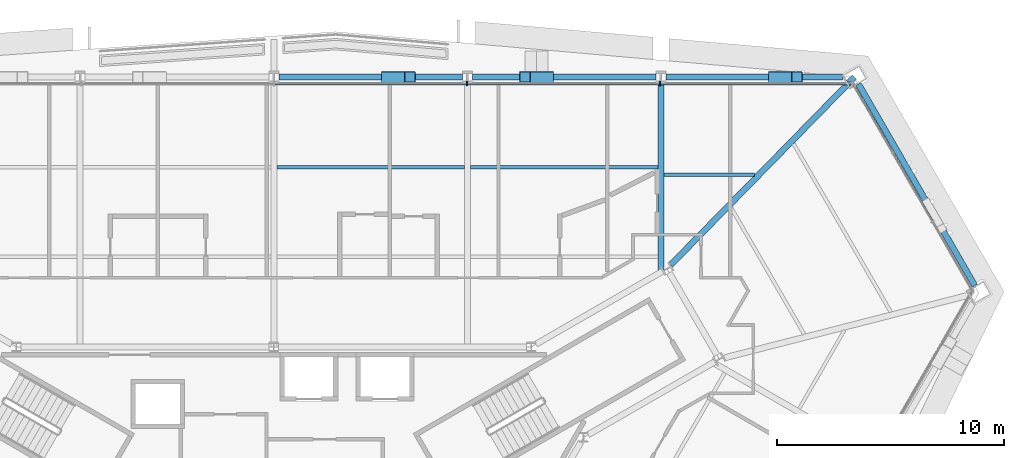
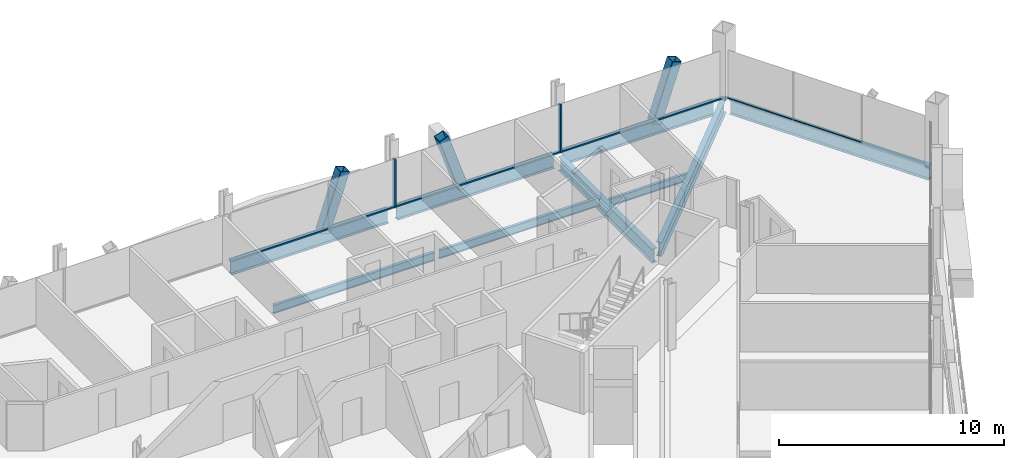
# One storey, part 8 of 17: 10 members, 9 beams, 2 elements without a shape of their own.
"""IFC4 building model written with IfcOpenShell, lengths in metres."""

from ifc_helpers import new_model, si_unit, direction, frame, origin, origin_2d, place, context, subcontext, project, spatial, rectangle, hollow_rectangle, i_section, extrude, material, material_profile, profile_set, type_object, element, aggregate, save


model = new_model("IFC4")

# Units and contexts
model_context = context("Model", 3, precision=1e-05, world=origin(), true_north=direction((0.0, 1.0)))
body_context = subcontext(model_context, "Body", "Model", "MODEL_VIEW")
ifc_project = project(units=[si_unit("LENGTHUNIT", "METRE"), si_unit("AREAUNIT", "SQUARE_METRE"), si_unit("VOLUMEUNIT", "CUBIC_METRE"), si_unit("PLANEANGLEUNIT", "RADIAN"), si_unit("MASSUNIT", "GRAM", prefix="KILO")], contexts=[model_context])

# Site, building, storey
site_placement = place(None, origin())
site = spatial("IfcSite", under=ifc_project, at=site_placement, CompositionType="ELEMENT")
building_placement = place(site_placement, origin())
building = spatial("IfcBuilding", under=site, at=building_placement, Name="Verrane Prism Tower", CompositionType="ELEMENT")
storey_placement = place(building_placement, frame((0.0, 0.0, 51.199951171875)))
storey = spatial("IfcBuildingStorey", under=building, at=storey_placement, Name="L10", CompositionType="ELEMENT", Elevation=51.199951171875)

# Beams
ifc_material_1 = material(Name="Steel A992", Category="steel")
ifc_material_profile_1 = material_profile(ifc_material_1, i_section(OverallWidth=0.2666015625, OverallDepth=0.76708984375, WebThickness=0.014892578125, FlangeThickness=0.023681640625, FilletRadius=0.0166015625, at=origin_2d()), Name="W30x124")
ifc_profile_set_1 = profile_set([ifc_material_profile_1], Name="Steel A992")
beam_type_1 = type_object("IfcBeamType", Name="Chamfer spandrel beam W30x124", PredefinedType="SPANDREL", material=ifc_profile_set_1)
beam_1_placement = place(storey_placement, frame((30.84521484375, 11.893310546875, -0.54345703125), z_axis=(-0.499796720239, 0.866142735603, 0.0), x_axis=(-0.866142735603, -0.499796720239, 0.0)))
element("IfcBeam", 1, at=beam_1_placement, inside=storey, type_object=beam_type_1, Name="Chamfer spandrel beam L10", PredefinedType="SPANDREL", context=body_context, shape_type="SweptSolid", body=[
    extrude(i_section(OverallWidth=0.2666015625, OverallDepth=0.76708984375, WebThickness=0.014892578125, FlangeThickness=0.023681640625, FilletRadius=0.0166015625, at=origin_2d()), origin(), (0.0, 0.0, 1.0), 10.244873046875),
])
ifc_material_2 = material(Name="Steel A992", Category="steel")
ifc_material_profile_2 = material_profile(ifc_material_2, i_section(OverallWidth=0.2666015625, OverallDepth=0.76708984375, WebThickness=0.014892578125, FlangeThickness=0.023681640625, FilletRadius=0.0166015625, at=origin_2d()), Name="W30x124")
ifc_profile_set_2 = profile_set([ifc_material_profile_2], Name="Steel A992")
beam_type_2 = type_object("IfcBeamType", Name="Corner girder W30x124", PredefinedType="BEAM", material=ifc_profile_set_2)
beam_2_placement = place(storey_placement, frame((25.548828125, 21.06884765625, -0.603515625), z_axis=(-0.699429302474, -0.714701791547, 0.0), x_axis=(0.714701791547, -0.699429302474, 0.0)))
element("IfcBeam", 2, at=beam_2_placement, inside=storey, type_object=beam_type_2, Name="Corner girder L10", PredefinedType="BEAM", context=body_context, shape_type="SweptSolid", body=[
    extrude(i_section(OverallWidth=0.2666015625, OverallDepth=0.76708984375, WebThickness=0.014892578125, FlangeThickness=0.023681640625, FilletRadius=0.0166015625, at=origin_2d()), origin(), (0.0, 0.0, 1.0), 11.5576171875),
])

# Members
ifc_material_3 = material(Name="Steel A1085 Grade A", Category="steel")
ifc_material_profile_3 = material_profile(ifc_material_3, hollow_rectangle(XDim=0.508056640625, YDim=0.508056640625, WallThickness=0.025390625, InnerFilletRadius=0.0126953125, OuterFilletRadius=0.0380859375, at=origin_2d()), Name="HSS20x20x1")
ifc_profile_set_3 = profile_set([ifc_material_profile_3], Name="Steel A1085 Grade A")
member_type_1 = type_object("IfcMemberType", Name="Facade brace HSS20x20x1", PredefinedType="BRACE", material=ifc_profile_set_3)
member_1_placement = place(storey_placement, frame((21.99853515625, 21.070068359375, -0.242431640625), z_axis=(0.320307489598, 0.0, 0.947313629221), x_axis=(0.0, 1.0, 0.0)))
element("IfcMember", 3, at=member_1_placement, inside=storey, type_object=member_type_1, Name="Facade brace N0 L10", PredefinedType="BRACE", context=body_context, shape_type="SweptSolid", body=[
    extrude(hollow_rectangle(XDim=0.508056640625, YDim=0.508056640625, WallThickness=0.025390625, InnerFilletRadius=0.0126953125, OuterFilletRadius=0.0380859375, at=origin_2d()), origin(), (0.0, 0.0, 1.0), 3.17529296875),
])
member_2_placement = place(storey_placement, frame((12.067138671875, 21.070068359375, -0.242431640625), z_axis=(-0.319893410913, 0.0, 0.947453537465), x_axis=(0.0, -1.0, 0.0)))
element("IfcMember", 4, at=member_2_placement, inside=storey, type_object=member_type_1, Name="Facade brace N1 L10", PredefinedType="BRACE", context=body_context, shape_type="SweptSolid", body=[
    extrude(hollow_rectangle(XDim=0.508056640625, YDim=0.508056640625, WallThickness=0.025390625, InnerFilletRadius=0.0126953125, OuterFilletRadius=0.0380859375, at=origin_2d()), origin(), (0.0, 0.0, 1.0), 3.1748046875),
])
member_3_placement = place(storey_placement, frame((4.968505859375, 21.070068359375, -0.242431640625), z_axis=(0.320307489598, 0.0, 0.947313629221), x_axis=(0.0, 1.0, 0.0)))
element("IfcMember", 5, at=member_3_placement, inside=storey, type_object=member_type_1, Name="Facade brace N2 L10", PredefinedType="BRACE", context=body_context, shape_type="SweptSolid", body=[
    extrude(hollow_rectangle(XDim=0.508056640625, YDim=0.508056640625, WallThickness=0.025390625, InnerFilletRadius=0.0126953125, OuterFilletRadius=0.0380859375, at=origin_2d()), origin(), (0.0, 0.0, 1.0), 3.17529296875),
])

# Beams
ifc_material_4 = material(Name="Steel A992", Category="steel")
ifc_material_profile_4 = material_profile(ifc_material_4, i_section(OverallWidth=0.140380859375, OverallDepth=0.40380859375, WebThickness=0.007080078125, FlangeThickness=0.01123046875, FilletRadius=0.01025390625, at=origin_2d()), Name="W16x31")
ifc_profile_set_4 = profile_set([ifc_material_profile_4], Name="Steel A992")
beam_type_3 = type_object("IfcBeamType", Name="Floor beam W16x31", PredefinedType="BEAM", material=ifc_profile_set_4)
beam_3_placement = place(storey_placement, frame((17.16357421875, 16.77490234375, -0.36181640625), z_axis=(1.0, 0.0, 0.0), x_axis=(0.0, 1.0, 0.0)))
element("IfcBeam", 6, at=beam_3_placement, inside=storey, type_object=beam_type_3, Name="Floor beam L10", PredefinedType="BEAM", context=body_context, shape_type="SweptSolid", body=[
    extrude(i_section(OverallWidth=0.140380859375, OverallDepth=0.40380859375, WebThickness=0.007080078125, FlangeThickness=0.01123046875, FilletRadius=0.01025390625, at=origin_2d()), origin(), (0.0, 0.0, 1.0), 3.996337890625),
])
ifc_material_5 = material(Name="Steel A992", Category="steel")
ifc_material_profile_5 = material_profile(ifc_material_5, i_section(OverallWidth=0.15234375, OverallDepth=0.449462890625, WebThickness=0.007568359375, FlangeThickness=0.0107421875, FilletRadius=0.01025390625, at=origin_2d()), Name="W18x35")
ifc_profile_set_5 = profile_set([ifc_material_profile_5], Name="Steel A992")
beam_type_4 = type_object("IfcBeamType", Name="Floor beam W18x35", PredefinedType="BEAM", material=ifc_profile_set_5)
beam_4_placement = place(storey_placement, frame((8.653564453125, 17.11328125, -0.384765625), z_axis=(1.0, 0.0, 0.0), x_axis=(0.0, 1.0, 0.0)))
element("IfcBeam", 7, at=beam_4_placement, inside=storey, type_object=beam_type_4, Name="Floor beam L10", PredefinedType="BEAM", context=body_context, shape_type="SweptSolid", body=[
    extrude(i_section(OverallWidth=0.15234375, OverallDepth=0.449462890625, WebThickness=0.007568359375, FlangeThickness=0.0107421875, FilletRadius=0.01025390625, at=origin_2d()), origin(), (0.0, 0.0, 1.0), 8.242919921875),
])
beam_5_placement = place(storey_placement, frame((0.133544921875, 17.11328125, -0.384765625), z_axis=(1.0, 0.0, 0.0), x_axis=(0.0, 1.0, 0.0)))
element("IfcBeam", 8, at=beam_5_placement, inside=storey, type_object=beam_type_4, Name="Floor beam L10", PredefinedType="BEAM", context=body_context, shape_type="SweptSolid", body=[
    extrude(i_section(OverallWidth=0.15234375, OverallDepth=0.449462890625, WebThickness=0.007568359375, FlangeThickness=0.0107421875, FilletRadius=0.01025390625, at=origin_2d()), origin(), (0.0, 0.0, 1.0), 8.2529296875),
])

# Curtain wall, members
ifc_material_6 = material(Name="Aluminium framed insulated glazing", Category="aluminium")
curtain_wall_type_1 = type_object("IfcCurtainWallType", Name="Curtain wall CW-A 8400 module", PredefinedType="NOTDEFINED", material=ifc_material_6)
curtain_wall_1_placement = place(storey_placement, origin())
curtain_wall_1 = element("IfcCurtainWall", 9, at=curtain_wall_1_placement, inside=storey, type_object=curtain_wall_type_1, Name="Glazed curtain wall north face L10", PredefinedType="NOTDEFINED")
ifc_material_7 = material(Name="Aluminium alloy 6063-T6", Category="aluminium")
ifc_material_profile_6 = material_profile(ifc_material_7, rectangle(XDim=0.199951171875, YDim=0.070068359375, at=origin_2d()), Name="Mullion 70x200 aluminium")
ifc_profile_set_6 = profile_set([ifc_material_profile_6], Name="Aluminium alloy 6063-T6")
member_type_2 = type_object("IfcMemberType", Name="Mullion 70x200 aluminium", PredefinedType="MULLION", material=ifc_profile_set_6)
member_4_placement = place(storey_placement, frame((16.9833984375, 20.791015625, 0.0), z_axis=(0.0, 0.0, 1.0), x_axis=(0.0, -1.0, 0.0)))
member_4 = element("IfcMember", 10, at=member_4_placement, type_object=member_type_2, Name="CW09.2 mullion 2", PredefinedType="MULLION", context=body_context, shape_type="SweptSolid", body=[
    extrude(rectangle(XDim=0.199951171875, YDim=0.070068359375, at=origin_2d()), origin(), (0.0, 0.0, 1.0), 2.613037109375),
])
member_5_placement = place(storey_placement, frame((8.49169921875, 20.791015625, 0.0), z_axis=(0.0, 0.0, 1.0), x_axis=(0.0, -1.0, 0.0)))
member_5 = element("IfcMember", 11, at=member_5_placement, type_object=member_type_2, Name="CW09.2 mullion 3", PredefinedType="MULLION", context=body_context, shape_type="SweptSolid", body=[
    extrude(rectangle(XDim=0.199951171875, YDim=0.070068359375, at=origin_2d()), origin(), (0.0, 0.0, 1.0), 2.613037109375),
])

# Beams
ifc_material_8 = material(Name="Steel A992", Category="steel")
ifc_material_profile_7 = material_profile(ifc_material_8, i_section(OverallWidth=0.2666015625, OverallDepth=0.76708984375, WebThickness=0.014892578125, FlangeThickness=0.023681640625, FilletRadius=0.0166015625, at=origin_2d()), Name="W30x124")
ifc_profile_set_7 = profile_set([ifc_material_profile_7], Name="Steel A992")
beam_type_5 = type_object("IfcBeamType", Name="Radial girder W30x124", PredefinedType="BEAM", material=ifc_profile_set_7)
beam_6_placement = place(storey_placement, frame((17.030029296875, 20.8046875, -0.603515625), z_axis=(0.0, -1.0, 0.0), x_axis=(1.0, 0.0, 0.0)))
element("IfcBeam", 12, at=beam_6_placement, inside=storey, type_object=beam_type_5, Name="Radial girder L10", PredefinedType="BEAM", context=body_context, shape_type="SweptSolid", body=[
    extrude(i_section(OverallWidth=0.2666015625, OverallDepth=0.76708984375, WebThickness=0.014892578125, FlangeThickness=0.023681640625, FilletRadius=0.0166015625, at=origin_2d()), origin(), (0.0, 0.0, 1.0), 8.3203125),
])
ifc_material_9 = material(Name="Steel A992", Category="steel")
ifc_material_profile_8 = material_profile(ifc_material_9, i_section(OverallWidth=0.2666015625, OverallDepth=0.7568359375, WebThickness=0.013916015625, FlangeThickness=0.019287109375, FilletRadius=0.0166015625, at=origin_2d()), Name="W30x108")
ifc_profile_set_8 = profile_set([ifc_material_profile_8], Name="Steel A992")
beam_type_6 = type_object("IfcBeamType", Name="Spandrel beam W30x108", PredefinedType="SPANDREL", material=ifc_profile_set_8)
beam_7_placement = place(storey_placement, frame((25.030517578125, 21.070068359375, -0.538330078125), z_axis=(-1.0, 0.0, 0.0), x_axis=(0.0, -1.0, 0.0)))
element("IfcBeam", 13, at=beam_7_placement, inside=storey, type_object=beam_type_6, Name="Spandrel beam L10", PredefinedType="SPANDREL", context=body_context, shape_type="SweptSolid", body=[
    extrude(i_section(OverallWidth=0.2666015625, OverallDepth=0.7568359375, WebThickness=0.013916015625, FlangeThickness=0.019287109375, FilletRadius=0.0166015625, at=origin_2d()), origin(), (0.0, 0.0, 1.0), 7.779541015625),
])
beam_8_placement = place(storey_placement, frame((16.80908203125, 21.070068359375, -0.538330078125), z_axis=(-1.0, 0.0, 0.0), x_axis=(0.0, -1.0, 0.0)))
element("IfcBeam", 14, at=beam_8_placement, inside=storey, type_object=beam_type_6, Name="Spandrel beam L10", PredefinedType="SPANDREL", context=body_context, shape_type="SweptSolid", body=[
    extrude(i_section(OverallWidth=0.2666015625, OverallDepth=0.7568359375, WebThickness=0.013916015625, FlangeThickness=0.019287109375, FilletRadius=0.0166015625, at=origin_2d()), origin(), (0.0, 0.0, 1.0), 8.068115234375),
])
beam_9_placement = place(storey_placement, frame((8.299072265625, 21.070068359375, -0.538330078125), z_axis=(-1.0, 0.0, 0.0), x_axis=(0.0, -1.0, 0.0)))
element("IfcBeam", 15, at=beam_9_placement, inside=storey, type_object=beam_type_6, Name="Spandrel beam L10", PredefinedType="SPANDREL", context=body_context, shape_type="SweptSolid", body=[
    extrude(i_section(OverallWidth=0.2666015625, OverallDepth=0.7568359375, WebThickness=0.013916015625, FlangeThickness=0.019287109375, FilletRadius=0.0166015625, at=origin_2d()), origin(), (0.0, 0.0, 1.0), 8.078125),
])

# Curtain wall, members
ifc_material_10 = material(Name="Aluminium framed insulated glazing", Category="aluminium")
curtain_wall_type_2 = type_object("IfcCurtainWallType", Name="Curtain wall CW-C 4200 module", PredefinedType="NOTDEFINED", material=ifc_material_10)
curtain_wall_2_placement = place(storey_placement, origin())
curtain_wall_2 = element("IfcCurtainWall", 16, at=curtain_wall_2_placement, inside=storey, type_object=curtain_wall_type_2, Name="Glazed curtain wall north-east corner L10", PredefinedType="NOTDEFINED")
ifc_material_11 = material(Name="Aluminium alloy 6063-T6", Category="aluminium")
ifc_material_profile_9 = material_profile(ifc_material_11, rectangle(XDim=0.10009765625, YDim=0.050048828125, at=origin_2d()), Name="Transom 50x100 aluminium")
ifc_profile_set_9 = profile_set([ifc_material_profile_9], Name="Aluminium alloy 6063-T6")
member_type_3 = type_object("IfcMemberType", Name="Transom 50x100 aluminium", PredefinedType="USERDEFINED", material=ifc_profile_set_9)
member_6_placement = place(storey_placement, frame((28.974609375, 14.729736328125, 0.025146484375), z_axis=(-0.499976799773, 0.866038798027, 0.0), x_axis=(-0.866038798027, -0.499976799773, 0.0)))
member_6 = element("IfcMember", 17, at=member_6_placement, type_object=member_type_3, Name="CW09.1 transom 2", ObjectType="TRANSOM", PredefinedType="USERDEFINED", context=body_context, shape_type="SweptSolid", body=[
    extrude(rectangle(XDim=0.10009765625, YDim=0.050048828125, at=origin_2d()), origin(), (0.0, 0.0, 1.0), 3.462158203125),
])
member_7_placement = place(storey_placement, frame((27.21875, 17.771240234375, 0.025146484375), z_axis=(-0.500039619691, 0.866002528137, 0.0), x_axis=(-0.866002528137, -0.500039619691, 0.0)))
member_7 = element("IfcMember", 18, at=member_7_placement, type_object=member_type_3, Name="CW09.1 transom 3", ObjectType="TRANSOM", PredefinedType="USERDEFINED", context=body_context, shape_type="SweptSolid", body=[
    extrude(rectangle(XDim=0.10009765625, YDim=0.050048828125, at=origin_2d()), origin(), (0.0, 0.0, 1.0), 3.487060546875),
])
aggregate(curtain_wall_2, [member_6, member_7])

# Member
ifc_material_12 = material(Name="Aluminium alloy 6063-T6", Category="aluminium")
ifc_material_profile_10 = material_profile(ifc_material_12, rectangle(XDim=0.14990234375, YDim=0.070068359375, at=origin_2d()), Name="Transom 70x150 aluminium")
ifc_profile_set_10 = profile_set([ifc_material_profile_10], Name="Aluminium alloy 6063-T6")
member_type_4 = type_object("IfcMemberType", Name="Transom 70x150 aluminium", PredefinedType="USERDEFINED", material=ifc_profile_set_10)
member_8_placement = place(storey_placement, frame((25.4052734375, 20.791015625, 0.03515625), z_axis=(-1.0, 0.0, 0.0), x_axis=(0.0, -1.0, 0.0)))
member_8 = element("IfcMember", 19, at=member_8_placement, type_object=member_type_4, Name="CW09.2 transom 1", ObjectType="TRANSOM", PredefinedType="USERDEFINED", context=body_context, shape_type="SweptSolid", body=[
    extrude(rectangle(XDim=0.14990234375, YDim=0.070068359375, at=origin_2d()), origin(), (0.0, 0.0, 1.0), 8.38671875),
])

member_9_placement = place(storey_placement, frame((16.948486328125, 20.791015625, 0.03515625), z_axis=(-1.0, 0.0, 0.0), x_axis=(0.0, -1.0, 0.0)))
member_9 = element("IfcMember", 20, at=member_9_placement, type_object=member_type_4, Name="CW09.2 transom 2", ObjectType="TRANSOM", PredefinedType="USERDEFINED", context=body_context, shape_type="SweptSolid", body=[
    extrude(rectangle(XDim=0.14990234375, YDim=0.070068359375, at=origin_2d()), origin(), (0.0, 0.0, 1.0), 8.421875),
])

member_10_placement = place(storey_placement, frame((8.456787109375, 20.791015625, 0.03515625), z_axis=(-1.0, 0.0, 0.0), x_axis=(0.0, -1.0, 0.0)))
member_10 = element("IfcMember", 21, at=member_10_placement, type_object=member_type_4, Name="CW09.2 transom 3", ObjectType="TRANSOM", PredefinedType="USERDEFINED", context=body_context, shape_type="SweptSolid", body=[
    extrude(rectangle(XDim=0.14990234375, YDim=0.070068359375, at=origin_2d()), origin(), (0.0, 0.0, 1.0), 8.421875),
])

aggregate(curtain_wall_1, [member_4, member_5, member_8, member_9, member_10])

save(model, "model.ifc")
